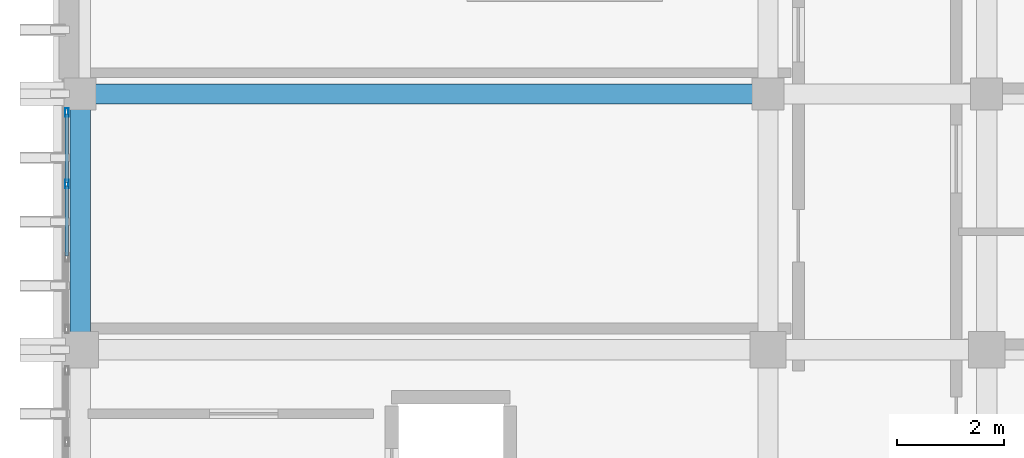
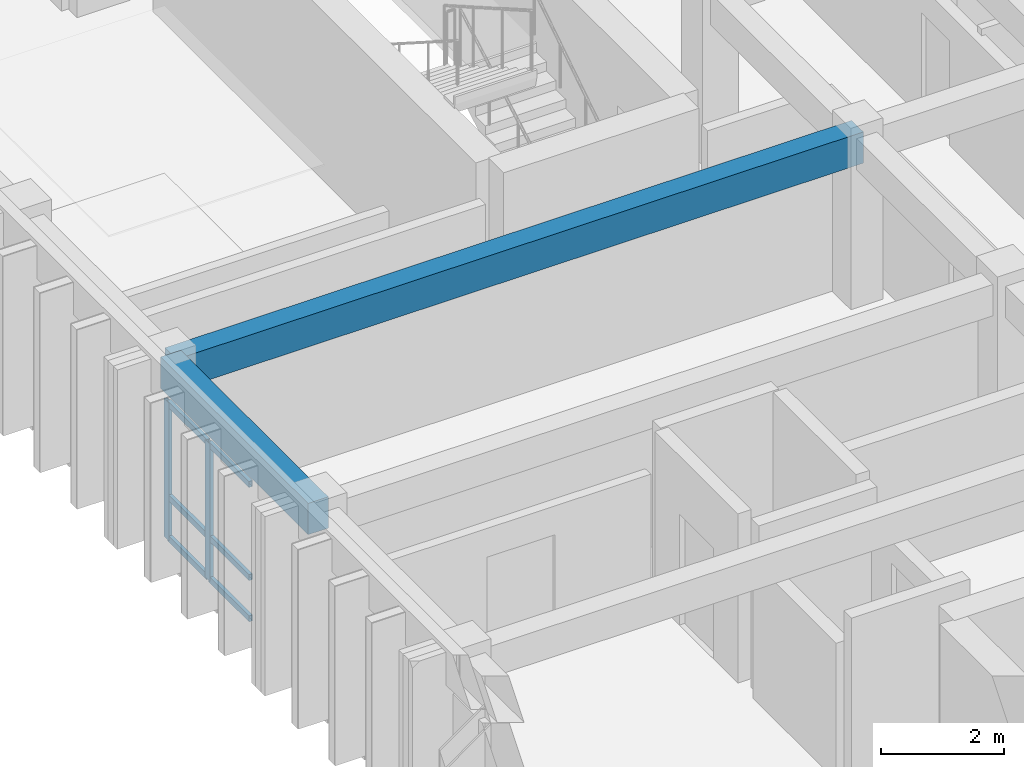
# One storey, part 26 of 53: 8 members, 2 beams, 1 element without a shape of its own.
"""IFC4 building model written with IfcOpenShell, lengths in metres."""

from ifc_helpers import new_model, si_unit, direction, frame, origin, origin_2d, place, context, subcontext, project, spatial, rectangle, hollow_rectangle, extrude, material, layer, layer_set, material_profile, profile_set, type_object, element, aggregate, save


model = new_model("IFC4")

# Units and contexts
model_context = context("Model", 3, precision=1e-05, world=origin(), true_north=direction((0.0, 1.0)))
body_context = subcontext(model_context, "Body", "Model", "MODEL_VIEW")
ifc_project = project(units=[si_unit("LENGTHUNIT", "METRE"), si_unit("AREAUNIT", "SQUARE_METRE"), si_unit("VOLUMEUNIT", "CUBIC_METRE"), si_unit("PLANEANGLEUNIT", "RADIAN"), si_unit("MASSUNIT", "GRAM", prefix="KILO")], contexts=[model_context])

# Site, building, storey
site_placement = place(None, origin())
site = spatial("IfcSite", under=ifc_project, at=site_placement, CompositionType="ELEMENT")
building_placement = place(site_placement, origin())
building = spatial("IfcBuilding", under=site, at=building_placement, Name="Nakhvara Creek Congress Hotel", CompositionType="ELEMENT")
storey_placement = place(building_placement, frame((0.0, 0.0, 35.39990234375)))
storey = spatial("IfcBuildingStorey", under=building, at=storey_placement, Name="L08", CompositionType="ELEMENT", Elevation=35.39990234375)

# Beams
ifc_material_1 = material(Name="Concrete C40/50", Category="concrete")
ifc_material_profile_1 = material_profile(ifc_material_1, rectangle(XDim=0.3798828125, YDim=0.6201171875, at=origin_2d()), Name="RC-BM 380x620", Category="LoadBearing")
ifc_profile_set_1 = profile_set([ifc_material_profile_1], Name="Concrete C40/50")
beam_type = type_object("IfcBeamType", Name="BM-RC-380X620", PredefinedType="BEAM", material=ifc_profile_set_1)
beam_1_placement = place(storey_placement, frame((149.449951171875, 96.0, 3.050048828125), z_axis=(0.0, 1.0, 0.0), x_axis=(-1.0, 0.0, 0.0)))
element("IfcBeam", 1, at=beam_1_placement, inside=storey, type_object=beam_type, Name="Beam B10-L08-2442", PredefinedType="BEAM", context=body_context, shape_type="SweptSolid", body=[
    extrude(rectangle(XDim=0.3798828125, YDim=0.6201171875, at=origin_2d()), origin(), (0.0, 0.0, 1.0), 4.800048828125),
])
beam_2_placement = place(storey_placement, frame((149.449951171875, 100.800048828125, 3.050048828125), z_axis=(1.0, 0.0, 0.0), x_axis=(0.0, 1.0, 0.0)))
element("IfcBeam", 2, at=beam_2_placement, inside=storey, type_object=beam_type, Name="Beam B10-L08-2515", PredefinedType="BEAM", context=body_context, shape_type="SweptSolid", body=[
    extrude(rectangle(XDim=0.3798828125, YDim=0.6201171875, at=origin_2d()), origin(), (0.0, 0.0, 1.0), 12.900146484375),
])

# Curtain wall, members
ifc_material_2 = material(Name="Bronze-anodised aluminium AW-6063-T6 and double-silver low-E glass", Category="aluminium")
ifc_layer = layer(ifc_material_2, 0.199951171875)
ifc_layer_set = layer_set([ifc_layer], Name="Bronze-anodised aluminium AW-6063-T6 and double-silver low-E glass")
curtain_wall_type = type_object("IfcCurtainWallType", Name="CW-HTL-UNIT", PredefinedType="USERDEFINED", material=ifc_layer_set)
curtain_wall_placement = place(storey_placement, origin())
curtain_wall = element("IfcCurtainWall", 3, at=curtain_wall_placement, inside=storey, type_object=curtain_wall_type, Name="Curtain Wall CW288", ObjectType="UNITISED", PredefinedType="USERDEFINED")
ifc_material_3 = material(Name="Bronze-anodised aluminium AW-6063-T6", Category="aluminium")
ifc_material_profile_2 = material_profile(ifc_material_3, hollow_rectangle(XDim=0.06494140625, YDim=0.159912109375, WallThickness=0.00390625, at=origin_2d()), Name="ALU-MULL 65x160x4", Category="LoadBearing")
ifc_profile_set_2 = profile_set([ifc_material_profile_2], Name="Bronze-anodised aluminium AW-6063-T6")
member_type_1 = type_object("IfcMemberType", Name="CW-MULL-160", PredefinedType="MULLION", material=ifc_profile_set_2)
member_1_placement = place(storey_placement, frame((149.199951171875, 99.1083984375, 0.0), z_axis=(0.0, 0.0, 1.0), x_axis=(-1.0, 0.0, 0.0)))
member_1 = element("IfcMember", 4, at=member_1_placement, type_object=member_type_1, Name="CW288 mullion 3", PredefinedType="MULLION", context=body_context, shape_type="SweptSolid", body=[
    extrude(hollow_rectangle(XDim=0.06494140625, YDim=0.159912109375, WallThickness=0.00390625, at=origin_2d()), origin(), (0.0, 0.0, 1.0), 2.732177734375),
])
member_2_placement = place(storey_placement, frame((149.199951171875, 100.452392578125, 0.0), z_axis=(0.0, 0.0, 1.0), x_axis=(-1.0, 0.0, 0.0)))
member_2 = element("IfcMember", 5, at=member_2_placement, type_object=member_type_1, Name="CW288 mullion 4", PredefinedType="MULLION", context=body_context, shape_type="SweptSolid", body=[
    extrude(hollow_rectangle(XDim=0.06494140625, YDim=0.159912109375, WallThickness=0.00390625, at=origin_2d()), origin(), (0.0, 0.0, 1.0), 2.732177734375),
])
ifc_material_profile_3 = material_profile(ifc_material_3, hollow_rectangle(XDim=0.06494140625, YDim=0.1201171875, WallThickness=0.00390625, at=origin_2d()), Name="ALU-TRAN 65x120x4", Category="LoadBearing")
ifc_profile_set_3 = profile_set([ifc_material_profile_3], Name="Bronze-anodised aluminium AW-6063-T6")
member_type_2 = type_object("IfcMemberType", Name="CW-TRAN-120", PredefinedType="USERDEFINED", material=ifc_profile_set_3)
member_3_placement = place(storey_placement, frame((149.199951171875, 97.76416015625, 0.03271484375), z_axis=(0.0, 1.0, 0.0), x_axis=(-1.0, 0.0, 0.0)))
member_3 = element("IfcMember", 6, at=member_3_placement, type_object=member_type_2, Name="CW288 transom 2.1", ObjectType="TRANSOM", PredefinedType="USERDEFINED", context=body_context, shape_type="SweptSolid", body=[
    extrude(hollow_rectangle(XDim=0.06494140625, YDim=0.1201171875, WallThickness=0.00390625, at=origin_2d()), origin(), (0.0, 0.0, 1.0), 1.311767578125),
])
member_4_placement = place(storey_placement, frame((149.199951171875, 97.76416015625, 0.85009765625), z_axis=(0.0, 1.0, 0.0), x_axis=(-1.0, 0.0, 0.0)))
member_4 = element("IfcMember", 7, at=member_4_placement, type_object=member_type_2, Name="CW288 transom 2.2", ObjectType="TRANSOM", PredefinedType="USERDEFINED", context=body_context, shape_type="SweptSolid", body=[
    extrude(hollow_rectangle(XDim=0.06494140625, YDim=0.1201171875, WallThickness=0.00390625, at=origin_2d()), origin(), (0.0, 0.0, 1.0), 1.311767578125),
])
member_5_placement = place(storey_placement, frame((149.199951171875, 97.76416015625, 2.69970703125), z_axis=(0.0, 1.0, 0.0), x_axis=(-1.0, 0.0, 0.0)))
member_5 = element("IfcMember", 8, at=member_5_placement, type_object=member_type_2, Name="CW288 transom 2.3", ObjectType="TRANSOM", PredefinedType="USERDEFINED", context=body_context, shape_type="SweptSolid", body=[
    extrude(hollow_rectangle(XDim=0.06494140625, YDim=0.1201171875, WallThickness=0.00390625, at=origin_2d()), origin(), (0.0, 0.0, 1.0), 1.311767578125),
])
member_6_placement = place(storey_placement, frame((149.199951171875, 99.140869140625, 0.03271484375), z_axis=(0.0, 1.0, 0.0), x_axis=(-1.0, 0.0, 0.0)))
member_6 = element("IfcMember", 9, at=member_6_placement, type_object=member_type_2, Name="CW288 transom 3.1", ObjectType="TRANSOM", PredefinedType="USERDEFINED", context=body_context, shape_type="SweptSolid", body=[
    extrude(hollow_rectangle(XDim=0.06494140625, YDim=0.1201171875, WallThickness=0.00390625, at=origin_2d()), origin(), (0.0, 0.0, 1.0), 1.279052734375),
])
member_7_placement = place(storey_placement, frame((149.199951171875, 99.140869140625, 0.85009765625), z_axis=(0.0, 1.0, 0.0), x_axis=(-1.0, 0.0, 0.0)))
member_7 = element("IfcMember", 10, at=member_7_placement, type_object=member_type_2, Name="CW288 transom 3.2", ObjectType="TRANSOM", PredefinedType="USERDEFINED", context=body_context, shape_type="SweptSolid", body=[
    extrude(hollow_rectangle(XDim=0.06494140625, YDim=0.1201171875, WallThickness=0.00390625, at=origin_2d()), origin(), (0.0, 0.0, 1.0), 1.279052734375),
])
member_8_placement = place(storey_placement, frame((149.199951171875, 99.140869140625, 2.69970703125), z_axis=(0.0, 1.0, 0.0), x_axis=(-1.0, 0.0, 0.0)))
member_8 = element("IfcMember", 11, at=member_8_placement, type_object=member_type_2, Name="CW288 transom 3.3", ObjectType="TRANSOM", PredefinedType="USERDEFINED", context=body_context, shape_type="SweptSolid", body=[
    extrude(hollow_rectangle(XDim=0.06494140625, YDim=0.1201171875, WallThickness=0.00390625, at=origin_2d()), origin(), (0.0, 0.0, 1.0), 1.279052734375),
])
aggregate(curtain_wall, [member_1, member_2, member_3, member_4, member_5, member_6, member_7, member_8])

save(model, "model.ifc")
